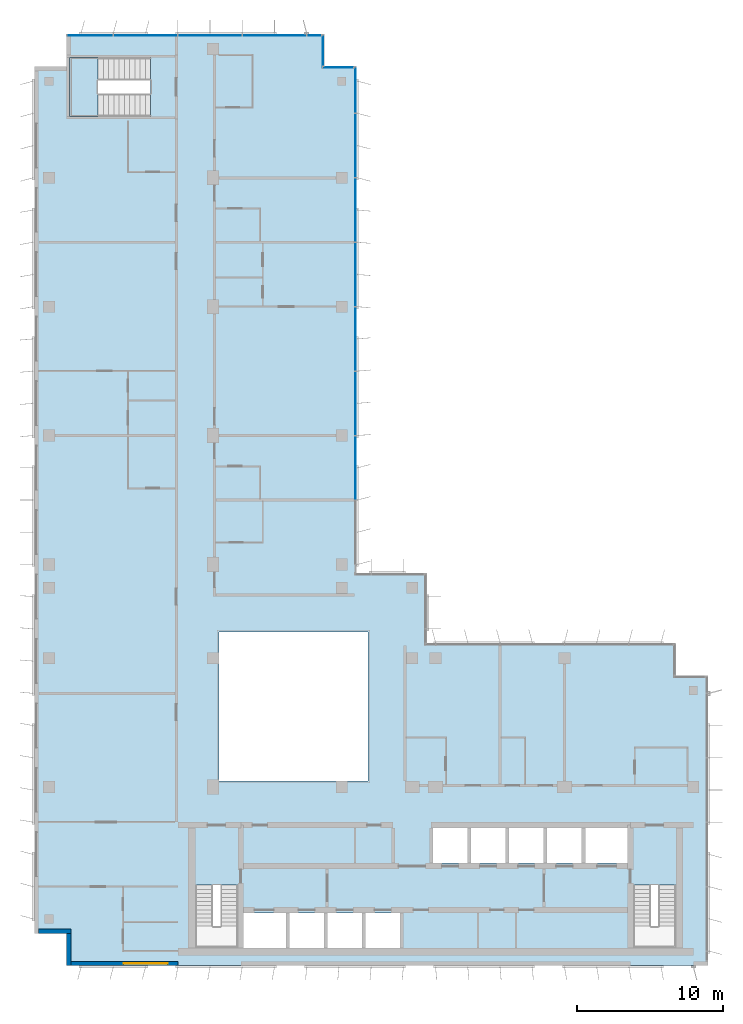
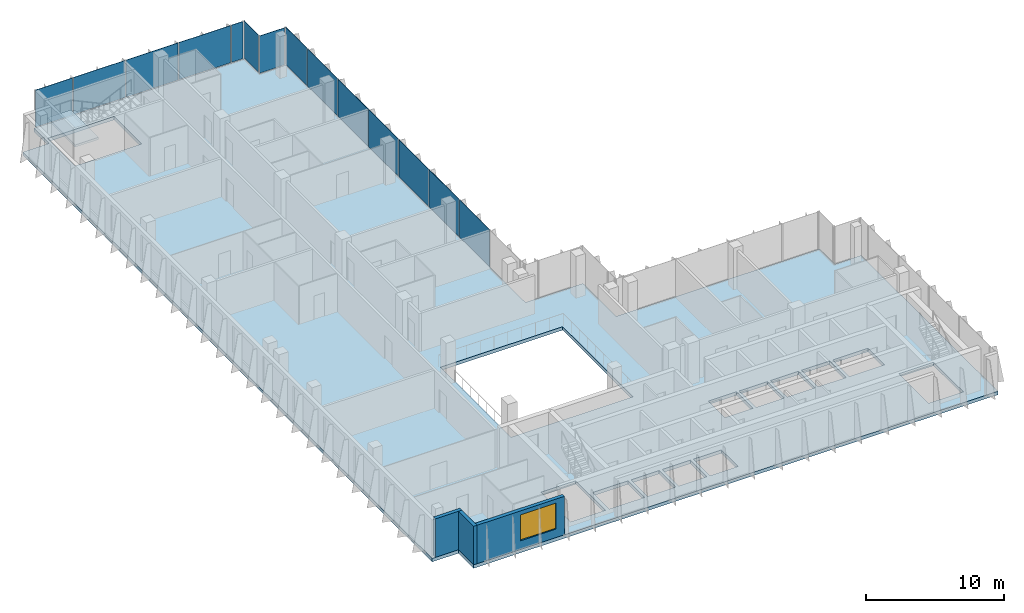
# One storey, part 8 of 15: 14 plates, 3 walls, 2 slabs, 1 window, 1 opening, 5 elements without a shape of their own.
"""IFC4 building model written with IfcOpenShell, lengths in metres."""

import ifcopenshell
import ifcopenshell.guid

model = None  # the IFC model being written
_history = None  # IfcOwnerHistory: only IFC2X3 demands one
_inside = {}  # id of a spatial element -> (the spatial element, [elements in it])
_under = {}  # id of a project, library or spatial element -> (it, [spatial elements below it])
_declared = {}  # id of a project -> (the project, [libraries it declares])
_typed = {}  # id of a type object -> (the type object, [elements of that type])
_made_of = {}  # id of a material, layer set ... -> (it, [elements and type objects made of it])


def new_model(schema):
    """Start an empty IFC model of exactly this schema.

    Asked for "IFC4X3", IfcOpenShell would pick the latest addendum, in which some entities
    have other attributes; the version numbers below select the first issue.
    IFC2X3 requires an IfcOwnerHistory on every rooted entity: one is made here for all.
    """
    global model, _history
    if schema == "IFC4X3":
        model = ifcopenshell.file(schema_version=(4, 3, 0, 0))
    else:
        model = ifcopenshell.file(schema=schema)
    _inside.clear()
    _under.clear()
    _declared.clear()
    _typed.clear()
    _made_of.clear()
    _history = None
    if model.schema == "IFC2X3":
        org = make("IfcOrganization", Name="unknown")
        user = make(
            "IfcPersonAndOrganization",
            ThePerson=make("IfcPerson", FamilyName="unknown"),
            TheOrganization=org,
        )
        app = make(
            "IfcApplication",
            ApplicationDeveloper=org,
            Version="unknown",
            ApplicationFullName="unknown",
            ApplicationIdentifier="unknown",
        )
        _history = make(
            "IfcOwnerHistory",
            OwningUser=user,
            OwningApplication=app,
            ChangeAction="ADDED",
            CreationDate=0,
        )
    return model


def make(cls, **values):
    """One entity of the class cls with the attributes given. An attribute that is None is left unset."""
    return model.create_entity(
        cls, **{name: value for name, value in values.items() if value is not None}
    )


def rooted(cls, **values):
    """An entity with a GlobalId (a new one), such as an element, a storey or a relation."""
    return make(cls, GlobalId=ifcopenshell.guid.new(), OwnerHistory=_history, **values)


def si_unit(unit_type, name, prefix=None):
    """IfcSIUnit, for example si_unit("LENGTHUNIT", "METRE", prefix="MILLI")."""
    return make("IfcSIUnit", UnitType=unit_type, Prefix=prefix, Name=name)


def assignment(units):
    """IfcUnitAssignment: the units of a project."""
    return None if units is None else make("IfcUnitAssignment", Units=units)


def point(xyz):
    """IfcCartesianPoint."""
    return None if xyz is None else make("IfcCartesianPoint", Coordinates=xyz)


def direction(xyz):
    """IfcDirection."""
    return None if xyz is None else make("IfcDirection", DirectionRatios=xyz)


def frame(location, z_axis=None, x_axis=None):
    """IfcAxis2Placement3D, a coordinate frame: its origin and axes. An axis left out is left unset."""
    return make(
        "IfcAxis2Placement3D",
        Location=point(location),
        Axis=direction(z_axis),
        RefDirection=direction(x_axis),
    )


def frame_2d(location, x_axis=None):
    """IfcAxis2Placement2D, a coordinate frame in the plane: its origin and x axis."""
    return make(
        "IfcAxis2Placement2D", Location=point(location), RefDirection=direction(x_axis)
    )


def origin():
    """The frame at (0, 0, 0) with its axes left unset."""
    return frame((0.0, 0.0, 0.0))


def origin_2d():
    """The frame at (0, 0) in the plane with its x axis left unset."""
    return frame_2d((0.0, 0.0))


def place(relative_to, where):
    """IfcLocalPlacement: puts the frame where relative to a parent placement (None: the world)."""
    return make(
        "IfcLocalPlacement", PlacementRelTo=relative_to, RelativePlacement=where
    )


def context(
    kind, dimensions, precision=None, world=None, true_north=None, identifier=None
):
    """IfcGeometricRepresentationContext, for example the 3D "Model" context."""
    return make(
        "IfcGeometricRepresentationContext",
        ContextIdentifier=identifier,
        ContextType=kind,
        CoordinateSpaceDimension=dimensions,
        Precision=precision,
        WorldCoordinateSystem=world,
        TrueNorth=true_north,
    )


def subcontext(parent, identifier, kind, view, scale=None):
    """IfcGeometricRepresentationSubContext, for example "Body" below "Model"."""
    return make(
        "IfcGeometricRepresentationSubContext",
        ContextIdentifier=identifier,
        ContextType=kind,
        ParentContext=parent,
        TargetScale=scale,
        TargetView=view,
    )


def project(units=None, contexts=None):
    """IfcProject with its units and contexts."""
    return rooted(
        "IfcProject",
        Name="project",
        RepresentationContexts=contexts,
        UnitsInContext=assignment(units),
    )


def spatial(cls, under=None, at=None, **own):
    """A site, building, storey or space (cls), placed at a placement, below another one or the project."""
    s = rooted(cls, ObjectPlacement=at, **own)
    if under is not None:
        _under.setdefault(under.id(), (under, []))[1].append(s)
    return s


def polyline(points):
    """IfcPolyline through the points."""
    return make("IfcPolyline", Points=[point(p) for p in points])


def profile(cls, at=None, kind="AREA", **sizes):
    """A parametric profile (cls). Its sizes go by their IFC names, for example OverallWidth=200.0."""
    return make(cls, ProfileType=kind, Position=at, **sizes)


def rectangle(**sizes):
    """IfcRectangleProfileDef."""
    return profile("IfcRectangleProfileDef", **sizes)


def outline(outer, holes=None, kind="AREA"):
    """IfcArbitraryClosedProfileDef: a profile drawn as a closed curve; with holes, ...WithVoids."""
    if holes is None:
        return make("IfcArbitraryClosedProfileDef", ProfileType=kind, OuterCurve=outer)
    return make(
        "IfcArbitraryProfileDefWithVoids",
        ProfileType=kind,
        OuterCurve=outer,
        InnerCurves=holes,
    )


def extrude(swept, where, along, depth):
    """IfcExtrudedAreaSolid: the profile swept, set in the frame where, extruded along a direction by depth."""
    return make(
        "IfcExtrudedAreaSolid",
        SweptArea=swept,
        Position=where,
        ExtrudedDirection=direction(along),
        Depth=depth,
    )


def shape(context_of_items, identifier, shape_type, items):
    """IfcShapeRepresentation: the items that make up one representation, for example the "Body"."""
    return make(
        "IfcShapeRepresentation",
        ContextOfItems=context_of_items,
        RepresentationIdentifier=identifier,
        RepresentationType=shape_type,
        Items=items,
    )


def source(mapping_origin, context_of_items, identifier, shape_type, items):
    """IfcRepresentationMap: a shape defined once, which mapped items show again and again."""
    return make(
        "IfcRepresentationMap",
        MappingOrigin=mapping_origin,
        MappedRepresentation=shape(context_of_items, identifier, shape_type, items),
    )


def transform(
    local_origin,
    x_axis=None,
    y_axis=None,
    z_axis=None,
    scale=None,
    scale2=None,
    scale3=None,
    uniform=True,
):
    """IfcCartesianTransformationOperator3D, or its non-uniform kind. x_axis, y_axis, z_axis: its Axis1, 2, 3."""
    if uniform:
        return make(
            "IfcCartesianTransformationOperator3D",
            Axis1=direction(x_axis),
            Axis2=direction(y_axis),
            LocalOrigin=point(local_origin),
            Scale=scale,
            Axis3=direction(z_axis),
        )
    return make(
        "IfcCartesianTransformationOperator3DnonUniform",
        Axis1=direction(x_axis),
        Axis2=direction(y_axis),
        LocalOrigin=point(local_origin),
        Scale=scale,
        Axis3=direction(z_axis),
        Scale2=scale2,
        Scale3=scale3,
    )


def mapped(mapping_source, mapping_target):
    """IfcMappedItem: shows the shape of a source again, moved by a transform."""
    return make(
        "IfcMappedItem", MappingSource=mapping_source, MappingTarget=mapping_target
    )


def material(Name=None, Category=None):
    """IfcMaterial."""
    return make("IfcMaterial", Name=Name, Category=Category)


def layer(
    of_material, thickness, ventilated=None, Name=None, Category=None, Priority=None
):
    """IfcMaterialLayer: one layer of a wall or slab, of a material (None: an air gap)."""
    return make(
        "IfcMaterialLayer",
        Material=of_material,
        LayerThickness=thickness,
        IsVentilated=ventilated,
        Name=Name,
        Category=Category,
        Priority=Priority,
    )


def layer_set(layers, Name=None):
    """IfcMaterialLayerSet."""
    return make("IfcMaterialLayerSet", MaterialLayers=layers, LayerSetName=Name)


def made_of(thing, what):
    """Note that an element or type object is made of a material, layer set ...; save() writes the relation."""
    if what is not None:
        _made_of.setdefault(what.id(), (what, []))[1].append(thing)
    return thing


def type_object(cls, material=None, **own):
    """A type object (cls), such as IfcWallType, which elements share."""
    return made_of(rooted(cls, **own), material)


def element(
    cls,
    number,
    at=None,
    inside=None,
    cuts=None,
    type_object=None,
    material=None,
    context=None,
    identifier="Body",
    shape_type=None,
    held_by="IfcProductDefinitionShape",
    body=None,
    shapes=None,
    **own,
):
    """One element of the class cls, such as IfcWall. Its Tag is "e" and its number.

    at: its placement. inside: the storey or other place that contains it. cuts: it is an
    opening in that element (IfcRelVoidsElement). A single representation is given by context,
    identifier, shape_type and body (its items); several are given by shapes. held_by: the class
    of the entity that holds the representations. save() writes the other relations.
    """
    e = rooted(cls, Tag="e%d" % number, ObjectPlacement=at, **own)
    if body is not None:
        shapes = [shape(context, identifier, shape_type, body)]
    if shapes is not None:
        e.Representation = make(held_by, Representations=shapes)
    if inside is not None:
        _inside.setdefault(inside.id(), (inside, []))[1].append(e)
    if cuts is not None:
        rooted(
            "IfcRelVoidsElement", RelatingBuildingElement=cuts, RelatedOpeningElement=e
        )
    if type_object is not None:
        _typed.setdefault(type_object.id(), (type_object, []))[1].append(e)
    return made_of(e, material)


def fill(opening, filler):
    """IfcRelFillsElement: the door or window that sits in an opening."""
    return rooted(
        "IfcRelFillsElement",
        RelatingOpeningElement=opening,
        RelatedBuildingElement=filler,
    )


def aggregate(whole, parts):
    """IfcRelAggregates: a whole, such as a stair, and the parts it consists of."""
    return rooted("IfcRelAggregates", RelatingObject=whole, RelatedObjects=parts)


def save(model, path):
    """Write the relations noted so far, then the file.

    IfcRelAggregates (storeys below a building ...), IfcRelContainedInSpatialStructure (elements
    in a storey), IfcRelDefinesByType, IfcRelAssociatesMaterial and IfcRelDeclares: one each for
    every whole, place, type object, material and project.
    """
    for whole, parts in _under.values():
        aggregate(whole, parts)
    for where, things in _inside.values():
        rooted(
            "IfcRelContainedInSpatialStructure",
            RelatedElements=things,
            RelatingStructure=where,
        )
    for kind, things in _typed.values():
        rooted("IfcRelDefinesByType", RelatedObjects=things, RelatingType=kind)
    for what, things in _made_of.values():
        rooted("IfcRelAssociatesMaterial", RelatedObjects=things, RelatingMaterial=what)
    for by, libraries in _declared.values():
        rooted("IfcRelDeclares", RelatingContext=by, RelatedDefinitions=libraries)
    model.write(path)


model = new_model("IFC4")

# Units and contexts
model_context = context("Model", 3, precision=1e-05, world=origin(), true_north=direction((0.0, 1.0)))
body_context = subcontext(model_context, "Body", "Model", "MODEL_VIEW")
ifc_project = project(units=[si_unit("LENGTHUNIT", "METRE"), si_unit("AREAUNIT", "SQUARE_METRE"), si_unit("VOLUMEUNIT", "CUBIC_METRE"), si_unit("PLANEANGLEUNIT", "RADIAN"), si_unit("MASSUNIT", "GRAM", prefix="KILO")], contexts=[model_context])

# Site, building, storey
site_placement = place(None, origin())
site = spatial("IfcSite", under=ifc_project, at=site_placement, CompositionType="ELEMENT")
building_placement = place(site_placement, origin())
building = spatial("IfcBuilding", under=site, at=building_placement, Name="Kemantara Hotel Tower", CompositionType="ELEMENT")
storey_placement = place(building_placement, frame((0.0, 0.0, 237.60009765625)))
storey = spatial("IfcBuildingStorey", under=building, at=storey_placement, Name="L59", CompositionType="ELEMENT", Elevation=237.60009765625)

# Slab
ifc_material_1 = material(Name="Concrete fc 40 MPa", Category="concrete")
ifc_layer_1 = layer(ifc_material_1, 0.300048828125)
ifc_layer_set_1 = layer_set([ifc_layer_1], Name="Concrete fc 40 MPa")
slab_type_1 = type_object("IfcSlabType", Name="POST-TENSIONED FLAT PLATE 300", PredefinedType="FLOOR", material=ifc_layer_set_1)
slab_1_placement = place(storey_placement, frame((0.0, 0.0, -0.300048828125)))
element("IfcSlab", 1, at=slab_1_placement, inside=storey, type_object=slab_type_1, Name="FLOOR SLAB L59", PredefinedType="FLOOR", context=body_context, shape_type="SweptSolid", body=[
    extrude(outline(polyline([(22.0, 26.800048828125), (22.0, 61.39990234375), (19.800048828125, 61.39990234375), (19.800048828125, 63.60009765625), (2.199951171875, 63.60009765625), (2.199951171875, 61.39990234375), (0.0, 61.39990234375), (0.0, 2.199951171875), (2.199951171875, 2.199951171875), (2.199951171875, 0.0), (46.0, 0.0), (46.0, 19.800048828125), (43.800048828125, 19.800048828125), (43.800048828125, 22.0), (26.800048828125, 22.0), (26.800048828125, 26.800048828125), (22.0, 26.800048828125)]), holes=[polyline([(17.175048828125, 3.60009765625), (17.175048828125, 1.199951171875), (14.22509765625, 1.199951171875), (14.22509765625, 3.60009765625), (17.175048828125, 3.60009765625)]), polyline([(19.77490234375, 1.199951171875), (17.425048828125, 1.199951171875), (17.425048828125, 3.60009765625), (19.77490234375, 3.60009765625), (19.77490234375, 1.199951171875)]), polyline([(22.375, 1.199951171875), (20.02490234375, 1.199951171875), (20.02490234375, 3.60009765625), (22.375, 3.60009765625), (22.375, 1.199951171875)]), polyline([(24.97509765625, 3.60009765625), (24.97509765625, 1.199951171875), (22.625, 1.199951171875), (22.625, 3.60009765625), (24.97509765625, 3.60009765625)]), polyline([(11.0, 1.199951171875), (11.0, 5.49951171875), (13.89990234375, 5.49951171875), (13.89990234375, 1.199951171875), (11.0, 1.199951171875)]), polyline([(22.800048828125, 12.60009765625), (12.60009765625, 12.60009765625), (12.60009765625, 22.800048828125), (22.800048828125, 22.800048828125), (22.800048828125, 12.60009765625)]), polyline([(2.39990234375, 58.0), (2.39990234375, 62.0), (7.949462890625, 62.0), (7.949462890625, 58.0), (2.39990234375, 58.0)]), polyline([(40.89990234375, 1.199951171875), (40.89990234375, 5.49951171875), (43.800048828125, 5.49951171875), (43.800048828125, 1.199951171875), (40.89990234375, 1.199951171875)]), polyline([(29.574951171875, 7.0), (27.22509765625, 7.0), (27.22509765625, 9.39990234375), (29.574951171875, 9.39990234375), (29.574951171875, 7.0)]), polyline([(32.175048828125, 7.0), (29.824951171875, 7.0), (29.824951171875, 9.39990234375), (32.175048828125, 9.39990234375), (32.175048828125, 7.0)]), polyline([(34.77490234375, 7.0), (32.425048828125, 7.0), (32.425048828125, 9.39990234375), (34.77490234375, 9.39990234375), (34.77490234375, 7.0)]), polyline([(37.375, 7.0), (35.02490234375, 7.0), (35.02490234375, 9.39990234375), (37.375, 9.39990234375), (37.375, 7.0)]), polyline([(40.574951171875, 7.0), (37.625, 7.0), (37.625, 9.39990234375), (40.574951171875, 9.39990234375), (40.574951171875, 7.0)])]), origin(), (0.0, 0.0, 1.0), 0.300048828125),
])

# Stair, slab
stair_type = type_object("IfcStairType", Name="Stair 1550 wide 22 risers of 168 x 360 mm", PredefinedType="HALF_TURN_STAIR", material=ifc_material_1)
stair_placement = place(storey_placement, origin())
stair = element("IfcStair", 2, at=stair_placement, inside=storey, type_object=stair_type, Name="L59 Exit stair ST4", PredefinedType="HALF_TURN_STAIR")
ifc_layer_2 = layer(ifc_material_1, 0.199951171875)
ifc_layer_set_2 = layer_set([ifc_layer_2], Name="Concrete fc 40 MPa")
slab_type_2 = type_object("IfcSlabType", Name="Stair landing 200 mm", PredefinedType="LANDING", material=ifc_layer_set_2)
slab_2_placement = place(storey_placement, frame((0.0, 0.0, 1.64990234375)))
slab_2 = element("IfcSlab", 3, at=slab_2_placement, type_object=slab_type_2, Name="ST4 landing 1", PredefinedType="LANDING", context=body_context, shape_type="SweptSolid", body=[
    extrude(outline(polyline([(4.35009765625, 62.0), (2.39990234375, 62.0), (2.39990234375, 58.0), (4.35009765625, 58.0), (4.35009765625, 62.0)])), origin(), (0.0, 0.0, 1.0), 0.199951171875),
])
aggregate(stair, [slab_2])

# Curtain wall, plates
ifc_material_2 = material(Name="Low-E tinted double insulated glass 36 mm", Category="glass")
curtain_wall_type = type_object("IfcCurtainWallType", Name="TOWER CURTAIN WALL, FRONT FACES", PredefinedType="USERDEFINED", material=ifc_material_2)
curtain_wall_1_placement = place(storey_placement, origin())
curtain_wall_1 = element("IfcCurtainWall", 4, at=curtain_wall_1_placement, inside=storey, type_object=curtain_wall_type, Name="CW4 L59 T4-R02-1", ObjectType="TOWER CURTAIN WALL, FRONT FACES", PredefinedType="USERDEFINED")
ifc_layer_3 = layer(ifc_material_2, 0.035888671875)
ifc_layer_set_3 = layer_set([ifc_layer_3], Name="Low-E tinted double insulated glass 36 mm")
plate_type = type_object("IfcPlateType", Name="TOWER CURTAIN WALL, FRONT FACES PANEL", PredefinedType="CURTAIN_PANEL", material=ifc_layer_set_3)
shared_shape_1 = source(origin(), body_context, "Body", "SweptSolid", [
    extrude(rectangle(XDim=4.340087890625, YDim=0.035888671875, at=origin_2d()), origin(), (0.0, 0.0, 1.0), 3.280029296875),
])
plate_1_placement = place(storey_placement, frame((16.39990234375, 63.52490234375, 0.1201171875), z_axis=(0.0, 0.0, 1.0), x_axis=(-1.0, 0.0, 0.0)))
plate_1 = element("IfcPlate", 5, at=plate_1_placement, type_object=plate_type, Name="CW4 glass panel T4-R02-1.2", PredefinedType="CURTAIN_PANEL", context=body_context, shape_type="MappedRepresentation", body=[
    mapped(shared_shape_1, transform((0.0, 0.0, 0.0))),
])
plate_2_placement = place(storey_placement, frame((12.0, 63.52490234375, 0.1201171875), z_axis=(0.0, 0.0, 1.0), x_axis=(-1.0, 0.0, 0.0)))
plate_2 = element("IfcPlate", 6, at=plate_2_placement, type_object=plate_type, Name="CW4 glass panel T4-R02-1.3", PredefinedType="CURTAIN_PANEL", context=body_context, shape_type="MappedRepresentation", body=[
    mapped(shared_shape_1, transform((0.0, 0.0, 0.0))),
])
plate_3_placement = place(storey_placement, frame((7.60009765625, 63.52490234375, 0.1201171875), z_axis=(0.0, 0.0, 1.0), x_axis=(-1.0, 0.0, 0.0)))
plate_3 = element("IfcPlate", 7, at=plate_3_placement, type_object=plate_type, Name="CW4 glass panel T4-R02-1.4", PredefinedType="CURTAIN_PANEL", context=body_context, shape_type="MappedRepresentation", body=[
    mapped(shared_shape_1, transform((0.0, 0.0, 0.0))),
])

curtain_wall_2_placement = place(storey_placement, origin())
curtain_wall_2 = element("IfcCurtainWall", 8, at=curtain_wall_2_placement, inside=storey, type_object=curtain_wall_type, Name="CW4 L59 T4-R15-1", ObjectType="TOWER CURTAIN WALL, FRONT FACES", PredefinedType="USERDEFINED")
plate_4_placement = place(storey_placement, frame((21.925048828125, 34.0, 0.1201171875), z_axis=(0.0, 0.0, 1.0), x_axis=(0.0, 1.0, 0.0)))
plate_4 = element("IfcPlate", 9, at=plate_4_placement, type_object=plate_type, Name="CW4 glass panel T4-R15-1.3", PredefinedType="CURTAIN_PANEL", context=body_context, shape_type="MappedRepresentation", body=[
    mapped(shared_shape_1, transform((0.0, 0.0, 0.0))),
])
plate_5_placement = place(storey_placement, frame((21.925048828125, 38.39990234375, 0.1201171875), z_axis=(0.0, 0.0, 1.0), x_axis=(0.0, 1.0, 0.0)))
plate_5 = element("IfcPlate", 10, at=plate_5_placement, type_object=plate_type, Name="CW4 glass panel T4-R15-1.4", PredefinedType="CURTAIN_PANEL", context=body_context, shape_type="MappedRepresentation", body=[
    mapped(shared_shape_1, transform((0.0, 0.0, 0.0))),
])
plate_6_placement = place(storey_placement, frame((21.925048828125, 42.800048828125, 0.1201171875), z_axis=(0.0, 0.0, 1.0), x_axis=(0.0, 1.0, 0.0)))
plate_6 = element("IfcPlate", 11, at=plate_6_placement, type_object=plate_type, Name="CW4 glass panel T4-R15-1.5", PredefinedType="CURTAIN_PANEL", context=body_context, shape_type="MappedRepresentation", body=[
    mapped(shared_shape_1, transform((0.0, 0.0, 0.0))),
])
plate_7_placement = place(storey_placement, frame((21.925048828125, 47.199951171875, 0.1201171875), z_axis=(0.0, 0.0, 1.0), x_axis=(0.0, 1.0, 0.0)))
plate_7 = element("IfcPlate", 12, at=plate_7_placement, type_object=plate_type, Name="CW4 glass panel T4-R15-1.6", PredefinedType="CURTAIN_PANEL", context=body_context, shape_type="MappedRepresentation", body=[
    mapped(shared_shape_1, transform((0.0, 0.0, 0.0))),
])
plate_8_placement = place(storey_placement, frame((21.925048828125, 51.60009765625, 0.1201171875), z_axis=(0.0, 0.0, 1.0), x_axis=(0.0, 1.0, 0.0)))
plate_8 = element("IfcPlate", 13, at=plate_8_placement, type_object=plate_type, Name="CW4 glass panel T4-R15-1.7", PredefinedType="CURTAIN_PANEL", context=body_context, shape_type="MappedRepresentation", body=[
    mapped(shared_shape_1, transform((0.0, 0.0, 0.0))),
])
plate_9_placement = place(storey_placement, frame((21.925048828125, 56.0, 0.1201171875), z_axis=(0.0, 0.0, 1.0), x_axis=(0.0, 1.0, 0.0)))
plate_9 = element("IfcPlate", 14, at=plate_9_placement, type_object=plate_type, Name="CW4 glass panel T4-R15-1.8", PredefinedType="CURTAIN_PANEL", context=body_context, shape_type="MappedRepresentation", body=[
    mapped(shared_shape_1, transform((0.0, 0.0, 0.0))),
])

# Plate
shared_shape_2 = source(origin(), body_context, "Body", "SweptSolid", [
    extrude(rectangle(XDim=3.110107421875, YDim=0.035888671875, at=origin_2d()), origin(), (0.0, 0.0, 1.0), 3.280029296875),
])
plate_10_placement = place(storey_placement, frame((3.81494140625, 63.52490234375, 0.1201171875), z_axis=(0.0, 0.0, 1.0), x_axis=(-1.0, 0.0, 0.0)))
plate_10 = element("IfcPlate", 15, at=plate_10_placement, type_object=plate_type, Name="CW4 glass panel T4-R02-1.5", PredefinedType="CURTAIN_PANEL", context=body_context, shape_type="MappedRepresentation", body=[
    mapped(shared_shape_2, transform((0.0, 0.0, 0.0))),
])

plate_11_placement = place(storey_placement, frame((21.925048828125, 59.784912109375, 0.1201171875), z_axis=(0.0, 0.0, 1.0), x_axis=(0.0, 1.0, 0.0)))
plate_11 = element("IfcPlate", 16, at=plate_11_placement, type_object=plate_type, Name="CW4 glass panel T4-R15-1.9", PredefinedType="CURTAIN_PANEL", context=body_context, shape_type="MappedRepresentation", body=[
    mapped(shared_shape_2, transform((0.0, 0.0, 0.0))),
])

aggregate(curtain_wall_2, [plate_4, plate_5, plate_6, plate_7, plate_8, plate_9, plate_11])

# Curtain wall, plate
curtain_wall_3_placement = place(storey_placement, origin())
curtain_wall_3 = element("IfcCurtainWall", 17, at=curtain_wall_3_placement, inside=storey, type_object=curtain_wall_type, Name="CW4 L59 T4-R00-1", ObjectType="TOWER CURTAIN WALL, FRONT FACES", PredefinedType="USERDEFINED")
shared_shape_3 = source(origin(), body_context, "Body", "SweptSolid", [
    extrude(rectangle(XDim=2.080078125, YDim=0.035888671875, at=origin_2d()), origin(), (0.0, 0.0, 1.0), 3.280029296875),
])
plate_12_placement = place(storey_placement, frame((20.75, 61.324951171875, 0.1201171875), z_axis=(0.0, 0.0, 1.0), x_axis=(-1.0, 0.0, 0.0)))
plate_12 = element("IfcPlate", 18, at=plate_12_placement, type_object=plate_type, Name="CW4 glass panel T4-R00-1.1", PredefinedType="CURTAIN_PANEL", context=body_context, shape_type="MappedRepresentation", body=[
    mapped(shared_shape_3, transform((0.0, 0.0, 0.0))),
])
aggregate(curtain_wall_3, [plate_12])

curtain_wall_4_placement = place(storey_placement, origin())
curtain_wall_4 = element("IfcCurtainWall", 19, at=curtain_wall_4_placement, inside=storey, type_object=curtain_wall_type, Name="CW4 L59 T4-R01-1", ObjectType="TOWER CURTAIN WALL, FRONT FACES", PredefinedType="USERDEFINED")
plate_13_placement = place(storey_placement, frame((19.72509765625, 62.5, 0.1201171875), z_axis=(0.0, 0.0, 1.0), x_axis=(0.0, 1.0, 0.0)))
plate_13 = element("IfcPlate", 20, at=plate_13_placement, type_object=plate_type, Name="CW4 glass panel T4-R01-1.1", PredefinedType="CURTAIN_PANEL", context=body_context, shape_type="MappedRepresentation", body=[
    mapped(shared_shape_3, transform((0.0, 0.0, 0.0))),
])
aggregate(curtain_wall_4, [plate_13])

# Plate
shared_shape_4 = source(origin(), body_context, "Body", "SweptSolid", [
    extrude(rectangle(XDim=0.9599609375, YDim=0.035888671875, at=origin_2d()), origin(), (0.0, 0.0, 1.0), 3.280029296875),
])
plate_14_placement = place(storey_placement, frame((19.110107421875, 63.52490234375, 0.1201171875), z_axis=(0.0, 0.0, 1.0), x_axis=(-1.0, 0.0, 0.0)))
plate_14 = element("IfcPlate", 21, at=plate_14_placement, type_object=plate_type, Name="CW4 glass panel T4-R02-1.1", PredefinedType="CURTAIN_PANEL", context=body_context, shape_type="MappedRepresentation", body=[
    mapped(shared_shape_4, transform((0.0, 0.0, 0.0))),
])

aggregate(curtain_wall_1, [plate_14, plate_1, plate_2, plate_3, plate_10])

# Walls
ifc_material_3 = material(Name="Bronze anodised aluminium cladding on insulated steel stud wall", Category="steel")
ifc_layer_4 = layer(ifc_material_3, 0.300048828125)
ifc_layer_set_4 = layer_set([ifc_layer_4], Name="Bronze anodised aluminium cladding on insulated steel stud wall")
wall_type = type_object("IfcWallType", Name="BRONZE METAL-CLAD EXTERNAL WALL 300", PredefinedType="STANDARD", material=ifc_layer_set_4)
for number, where, z_axis, x_axis, name in (
    (22, (0.300048828125, 2.35009765625, 0.0), (0.0, 0.0, 1.0), (1.0, 0.0, 0.0), "EXTERNAL WALL L59 T4-R06"),
    (23, (2.35009765625, 2.199951171875, 0.0), (0.0, 0.0, 1.0), (0.0, -1.0, 0.0), "EXTERNAL WALL L59 T4-R07"),
):
    element("IfcWall", number, at=place(storey_placement, frame(where, z_axis=z_axis, x_axis=x_axis)), inside=storey, type_object=wall_type, Name=name, PredefinedType="STANDARD", context=body_context, shape_type="SweptSolid", body=[
        extrude(rectangle(XDim=2.199951171875, YDim=0.300048828125, at=frame_2d((1.10009765625, 0.0))), origin(), (0.0, 0.0, 1.0), 3.39990234375),
    ])

# Wall, opening, window
wall_placement = place(storey_placement, frame((2.5, 0.14990234375, 0.0), z_axis=(0.0, 0.0, 1.0), x_axis=(1.0, 0.0, 0.0)))
wall = element("IfcWall", 24, at=wall_placement, inside=storey, type_object=wall_type, Name="EXTERNAL WALL L59 T4-R08", PredefinedType="STANDARD", context=body_context, shape_type="SweptSolid", body=[
    extrude(rectangle(XDim=7.300048828125, YDim=0.300048828125, at=frame_2d((3.64990234375, 0.0))), origin(), (0.0, 0.0, 1.0), 3.39990234375),
])
opening_placement = place(wall_placement, frame((3.60009765625, 0.0, 0.75)))
opening = element("IfcOpeningElement", 25, at=opening_placement, cuts=wall, Name="Opening W1", PredefinedType="OPENING", context=body_context, shape_type="SweptSolid", body=[
    extrude(rectangle(XDim=3.0, YDim=2.300048828125, at=frame_2d((1.5, 1.14990234375))), frame((0.0, 0.159912109375, 0.0), z_axis=(0.0, -1.0, 0.0), x_axis=(1.0, 0.0, 0.0)), (0.0, 0.0, 1.0), 0.320068359375),
])
ifc_material_4 = material(Name="Low-E tinted double insulated glass in bronze anodised aluminium frame", Category="aluminium")
window_type = type_object("IfcWindowType", Name="CHICAGO WINDOW, TRIPLE PANEL 3000x2300", PartitioningType="TRIPLE_PANEL_VERTICAL", PredefinedType="WINDOW", material=ifc_material_4)
window_placement = place(opening_placement, origin())
window = element("IfcWindow", 26, at=window_placement, inside=storey, type_object=window_type, Name="CHICAGO WINDOW L59 T4-R08-54", OverallHeight=2.300048828125, OverallWidth=3.0, PartitioningType="SINGLE_PANEL", PredefinedType="WINDOW", context=body_context, shape_type="SweptSolid", body=[
    extrude(rectangle(XDim=3.0, YDim=2.300048828125, at=frame_2d((1.5, 1.14990234375))), frame((0.0, 0.030029296875, 0.0), z_axis=(0.0, -1.0, 0.0), x_axis=(1.0, 0.0, 0.0)), (0.0, 0.0, 1.0), 0.06005859375),
])
fill(opening, window)

save(model, "model.ifc")
